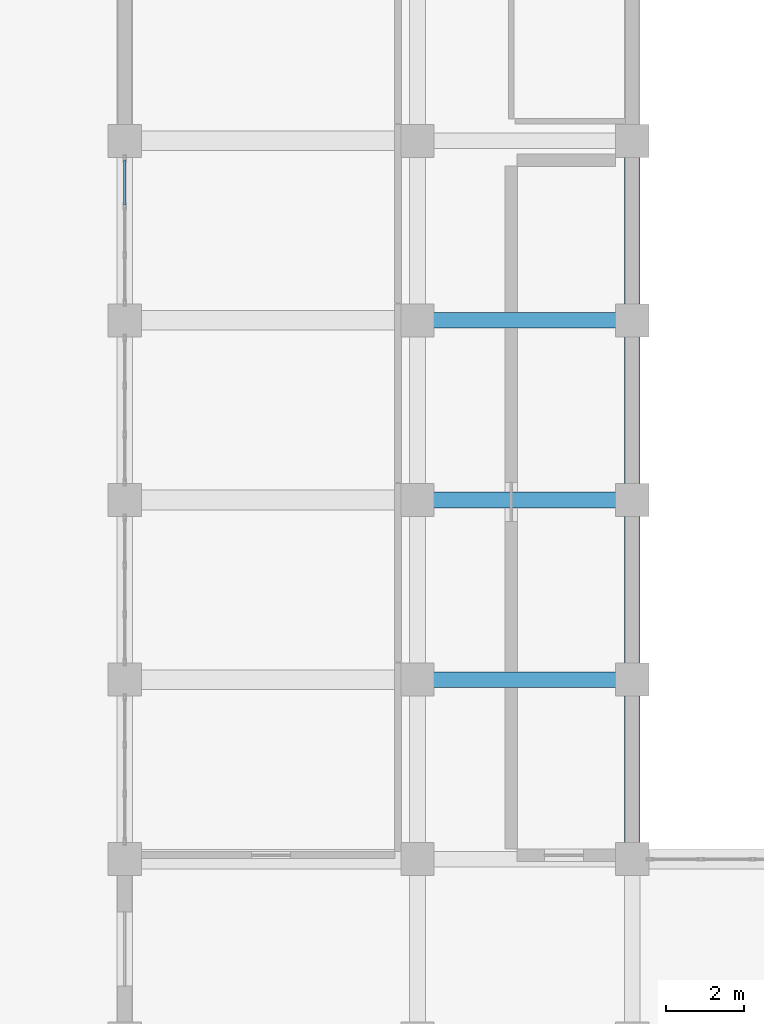
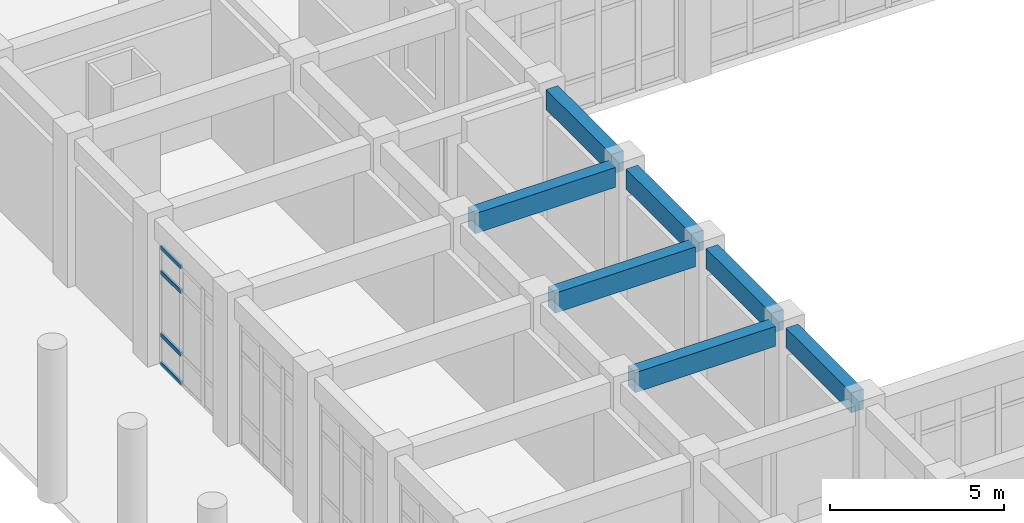
# One storey, part 16 of 84: 7 beams, 4 members, 1 element without a shape of its own.
"""IFC4 building model written with IfcOpenShell, lengths in metres."""

from ifc_helpers import new_model, si_unit, direction, frame, origin, origin_2d, place, context, subcontext, project, spatial, rectangle, hollow_rectangle, extrude, material, layer, layer_set, material_profile, profile_set, type_object, element, aggregate, save


model = new_model("IFC4")

# Units and contexts
model_context = context("Model", 3, precision=1e-05, world=origin(), true_north=direction((0.0, 1.0)))
body_context = subcontext(model_context, "Body", "Model", "MODEL_VIEW")
ifc_project = project(units=[si_unit("LENGTHUNIT", "METRE"), si_unit("AREAUNIT", "SQUARE_METRE"), si_unit("VOLUMEUNIT", "CUBIC_METRE"), si_unit("PLANEANGLEUNIT", "RADIAN"), si_unit("MASSUNIT", "GRAM", prefix="KILO")], contexts=[model_context])

# Site, building, storey
site_placement = place(None, origin())
site = spatial("IfcSite", under=ifc_project, at=site_placement, CompositionType="ELEMENT")
building_placement = place(site_placement, origin())
building = spatial("IfcBuilding", under=site, at=building_placement, Name="Muzn Square Opera House", CompositionType="ELEMENT")
storey_placement = place(building_placement, origin())
storey = spatial("IfcBuildingStorey", under=building, at=storey_placement, Name="L00", CompositionType="ELEMENT", Elevation=0.0)

# Curtain wall, members
ifc_material_1 = material(Name="Low-E laminated acoustic double glazing", Category="glass")
ifc_layer = layer(ifc_material_1, 0.159912109375, Name="Low-E laminated acoustic double glazing", Category="glass")
ifc_layer_set = layer_set([ifc_layer], Name="Low-E laminated acoustic double glazing")
curtain_wall_type = type_object("IfcCurtainWallType", Name="Glazed Curtain Wall WestBlvd 3750x4150", PredefinedType="USERDEFINED", material=ifc_layer_set)
curtain_wall_placement = place(storey_placement, origin())
curtain_wall = element("IfcCurtainWall", 1, at=curtain_wall_placement, inside=storey, type_object=curtain_wall_type, Name="Glazed Curtain Wall CW-L00-138", ObjectType="GLAZED CURTAIN WALL", PredefinedType="USERDEFINED")
ifc_material_2 = material(Name="Anodised bronze aluminium 6063-T6", Category="metal")
ifc_material_profile_1 = material_profile(ifc_material_2, hollow_rectangle(XDim=0.070068359375, YDim=0.139892578125, WallThickness=0.00390625, at=origin_2d()), Name="ALU 140x70x4", Category="metal")
ifc_profile_set_1 = profile_set([ifc_material_profile_1], Name="Anodised bronze aluminium 6063-T6")
member_type = type_object("IfcMemberType", Name="Curtain Wall Transom 140x70", PredefinedType="USERDEFINED", material=ifc_profile_set_1)
member_1_placement = place(storey_placement, frame((6.0, 47.9599609375, 0.034912109375), z_axis=(0.0, 1.0, 0.0), x_axis=(-1.0, 0.0, 0.0)))
member_1 = element("IfcMember", 2, at=member_1_placement, type_object=member_type, Name="CW-WBL-37x41 transom 3.1", ObjectType="TRANSOM", PredefinedType="USERDEFINED", context=body_context, shape_type="SweptSolid", body=[
    extrude(hollow_rectangle(XDim=0.070068359375, YDim=0.139892578125, WallThickness=0.00390625, at=origin_2d()), origin(), (0.0, 0.0, 1.0), 1.14501953125),
])
member_2_placement = place(storey_placement, frame((6.0, 47.9599609375, 1.050048828125), z_axis=(0.0, 1.0, 0.0), x_axis=(-1.0, 0.0, 0.0)))
member_2 = element("IfcMember", 3, at=member_2_placement, type_object=member_type, Name="CW-WBL-37x41 transom 3.2", ObjectType="TRANSOM", PredefinedType="USERDEFINED", context=body_context, shape_type="SweptSolid", body=[
    extrude(hollow_rectangle(XDim=0.070068359375, YDim=0.139892578125, WallThickness=0.00390625, at=origin_2d()), origin(), (0.0, 0.0, 1.0), 1.14501953125),
])
member_3_placement = place(storey_placement, frame((6.0, 47.9599609375, 3.25), z_axis=(0.0, 1.0, 0.0), x_axis=(-1.0, 0.0, 0.0)))
member_3 = element("IfcMember", 4, at=member_3_placement, type_object=member_type, Name="CW-WBL-37x41 transom 3.3", ObjectType="TRANSOM", PredefinedType="USERDEFINED", context=body_context, shape_type="SweptSolid", body=[
    extrude(hollow_rectangle(XDim=0.070068359375, YDim=0.139892578125, WallThickness=0.00390625, at=origin_2d()), origin(), (0.0, 0.0, 1.0), 1.14501953125),
])
member_4_placement = place(storey_placement, frame((6.0, 47.9599609375, 4.114990234375), z_axis=(0.0, 1.0, 0.0), x_axis=(-1.0, 0.0, 0.0)))
member_4 = element("IfcMember", 5, at=member_4_placement, type_object=member_type, Name="CW-WBL-37x41 transom 3.4", ObjectType="TRANSOM", PredefinedType="USERDEFINED", context=body_context, shape_type="SweptSolid", body=[
    extrude(hollow_rectangle(XDim=0.070068359375, YDim=0.139892578125, WallThickness=0.00390625, at=origin_2d()), origin(), (0.0, 0.0, 1.0), 1.14501953125),
])
aggregate(curtain_wall, [member_1, member_2, member_3, member_4])

# Beams
ifc_material_3 = material(Name="Concrete C40/50", Category="concrete")
ifc_material_profile_2 = material_profile(ifc_material_3, rectangle(XDim=0.39990234375, YDim=0.699951171875, at=origin_2d()), Name="RCB 400x700", Category="concrete")
ifc_profile_set_2 = profile_set([ifc_material_profile_2], Name="Concrete C40/50")
beam_type = type_object("IfcBeamType", Name="Primary Girder 400x700", PredefinedType="BEAM", material=ifc_profile_set_2)
for number, where, z_axis, x_axis, name in (
    (6, (13.9169921875, 35.800048828125, 4.77001953125), (1.0, 0.0, 0.0), (0.0, 1.0, 0.0), "Primary Girder BM-L00-BM-PG700-139_358_186_358-809"),
    (7, (13.9169921875, 40.39990234375, 4.77001953125), (1.0, 0.0, 0.0), (0.0, 1.0, 0.0), "Primary Girder BM-L00-BM-PG700-139_404_186_404-822"),
    (8, (13.9169921875, 45.0, 4.77001953125), (1.0, 0.0, 0.0), (0.0, 1.0, 0.0), "Primary Girder BM-L00-BM-PG700-139_450_186_450-828"),
):
    element("IfcBeam", number, at=place(storey_placement, frame(where, z_axis=z_axis, x_axis=x_axis)), inside=storey, type_object=beam_type, Name=name, PredefinedType="BEAM", context=body_context, shape_type="SweptSolid", body=[
        extrude(rectangle(XDim=0.39990234375, YDim=0.699951171875, at=origin_2d()), origin(), (0.0, 0.0, 1.0), 4.666015625),
    ])
beam_1_placement = place(storey_placement, frame((19.0, 31.616943359375, 4.77001953125), z_axis=(0.0, 1.0, 0.0), x_axis=(-1.0, 0.0, 0.0)))
element("IfcBeam", 9, at=beam_1_placement, inside=storey, type_object=beam_type, Name="Primary Girder BM-L00-BM-PG700-190_316_190_354-982", PredefinedType="BEAM", context=body_context, shape_type="SweptSolid", body=[
    extrude(rectangle(XDim=0.39990234375, YDim=0.699951171875, at=origin_2d()), origin(), (0.0, 0.0, 1.0), 3.76611328125),
])
beam_2_placement = place(storey_placement, frame((19.0, 36.217041015625, 4.77001953125), z_axis=(0.0, 1.0, 0.0), x_axis=(-1.0, 0.0, 0.0)))
element("IfcBeam", 10, at=beam_2_placement, inside=storey, type_object=beam_type, Name="Primary Girder BM-L00-BM-PG700-190_362_190_400-983", PredefinedType="BEAM", context=body_context, shape_type="SweptSolid", body=[
    extrude(rectangle(XDim=0.39990234375, YDim=0.699951171875, at=origin_2d()), origin(), (0.0, 0.0, 1.0), 3.765869140625),
])
for number, where, z_axis, x_axis, name in (
    (11, (19.0, 40.81689453125, 4.77001953125), (0.0, 1.0, 0.0), (-1.0, 0.0, 0.0), "Primary Girder BM-L00-BM-PG700-190_408_190_446-984"),
    (12, (19.0, 45.4169921875, 4.77001953125), (0.0, 1.0, 0.0), (-1.0, 0.0, 0.0), "Primary Girder BM-L00-BM-PG700-190_454_190_492-985"),
):
    element("IfcBeam", number, at=place(storey_placement, frame(where, z_axis=z_axis, x_axis=x_axis)), inside=storey, type_object=beam_type, Name=name, PredefinedType="BEAM", context=body_context, shape_type="SweptSolid", body=[
        extrude(rectangle(XDim=0.39990234375, YDim=0.699951171875, at=origin_2d()), origin(), (0.0, 0.0, 1.0), 3.76611328125),
    ])

save(model, "model.ifc")
